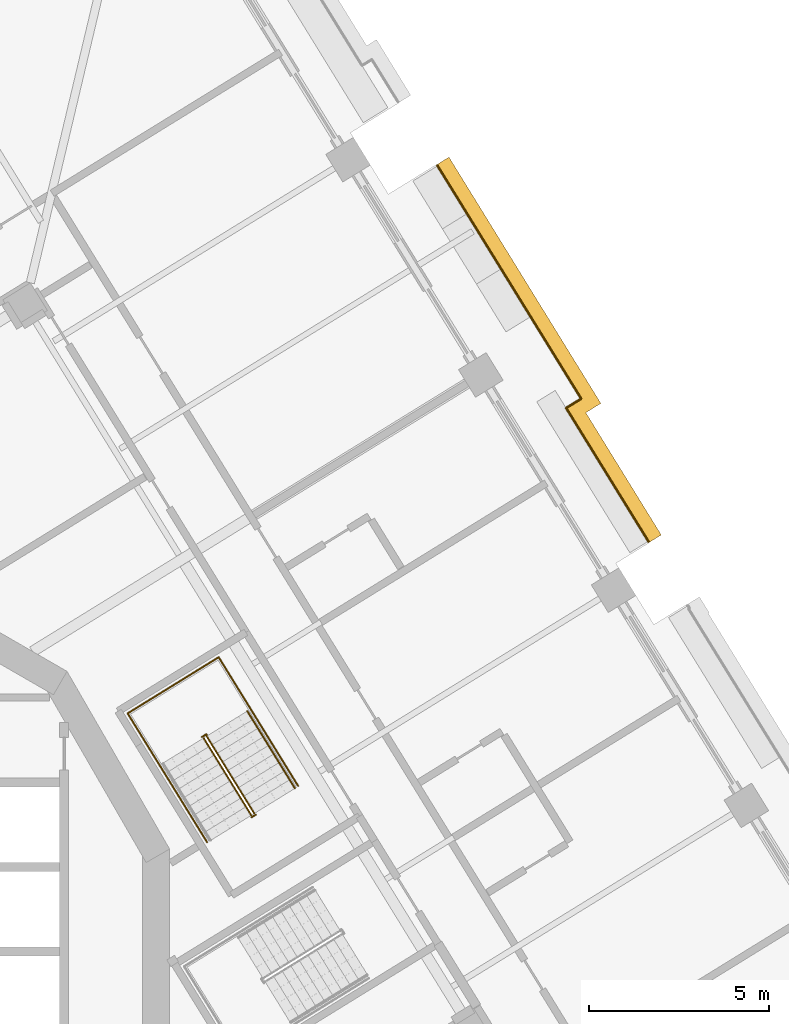
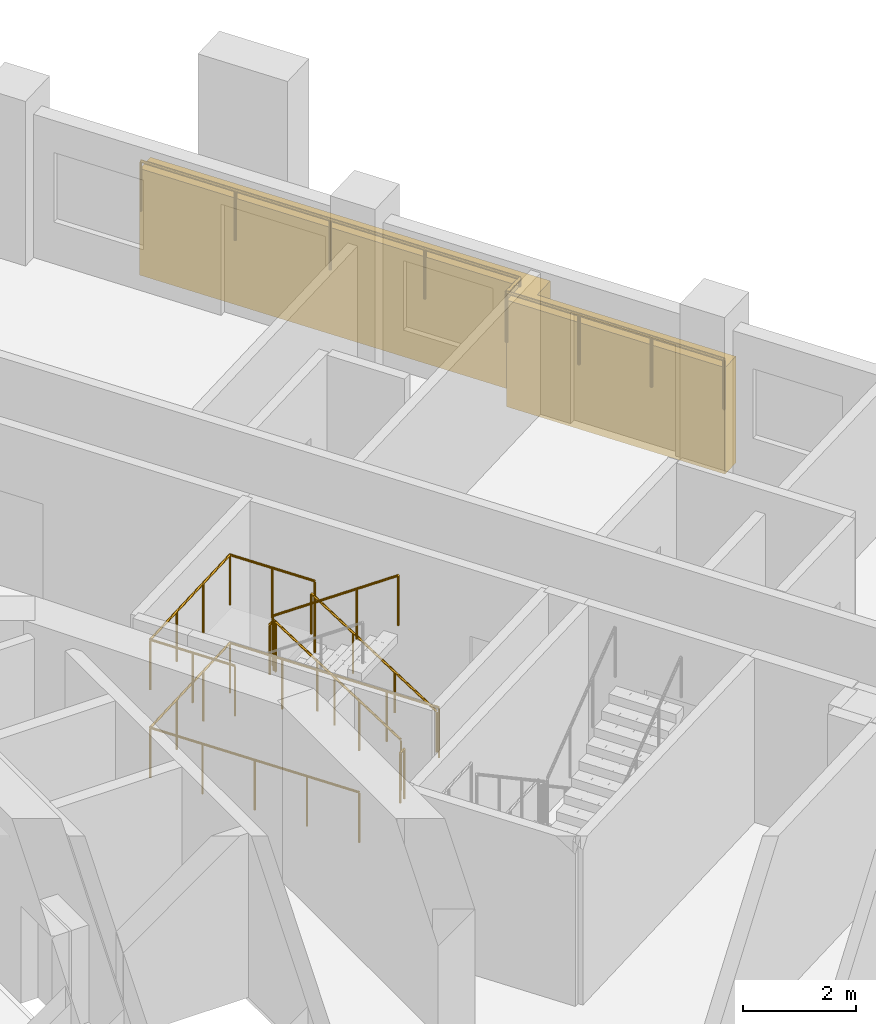
# One storey, part 18 of 20: 8 railings, 1 covering.
"""IFC4 building model written with IfcOpenShell, lengths in metres."""

from ifc_helpers import new_model, si_unit, direction, frame, origin, origin_2d, place, context, subcontext, project, spatial, polyline, circle, outline, extrude, material, type_object, element, save


model = new_model("IFC4")

# Units and contexts
model_context = context("Model", 3, precision=1e-05, world=origin(), true_north=direction((0.0, 1.0)))
body_context = subcontext(model_context, "Body", "Model", "MODEL_VIEW")
ifc_project = project(units=[si_unit("LENGTHUNIT", "METRE"), si_unit("AREAUNIT", "SQUARE_METRE"), si_unit("VOLUMEUNIT", "CUBIC_METRE"), si_unit("PLANEANGLEUNIT", "RADIAN"), si_unit("MASSUNIT", "GRAM", prefix="KILO")], contexts=[model_context])

# Site, building, storey
site_placement = place(None, origin())
site = spatial("IfcSite", under=ifc_project, at=site_placement, CompositionType="ELEMENT")
building_placement = place(site_placement, origin())
building = spatial("IfcBuilding", under=site, at=building_placement, Name="Cantera Rosa Tower", CompositionType="ELEMENT")
storey_placement = place(building_placement, frame((0.0, 0.0, 159.0)))
storey = spatial("IfcBuildingStorey", under=building, at=storey_placement, Name="L34", CompositionType="ELEMENT", Elevation=159.0)

# Railings
ifc_material_1 = material(Name="Stainless steel and laminated glass", Category="steel")
railing_type_1 = type_object("IfcRailingType", Name="GUARD 1100", PredefinedType="BALUSTRADE", material=ifc_material_1)
railing_1_placement = place(storey_placement, frame((21.629150390625, 15.090087890625, 0.0)))
element("IfcRailing", 1, at=railing_1_placement, inside=storey, type_object=railing_type_1, Name="GUARD L34-11", PredefinedType="BALUSTRADE", context=body_context, shape_type="SweptSolid", body=[
    extrude(circle(Radius=0.030029296875, at=origin_2d()), frame((0.0, 0.0, 1.070068359375), z_axis=(0.524976423486, -0.851116769182, 0.0), x_axis=(0.851116769182, 0.524976423486, 0.0)), (0.0, 0.0, 1.0), 4.36865234375),
    extrude(circle(Radius=0.02490234375, at=origin_2d()), origin(), (0.0, 0.0, 1.0), 1.0400390625),
    extrude(circle(Radius=0.02490234375, at=origin_2d()), frame((0.764404296875, -1.239501953125, 0.0)), (0.0, 0.0, 1.0), 1.0400390625),
    extrude(circle(Radius=0.02490234375, at=origin_2d()), frame((1.529052734375, -2.478759765625, 0.0)), (0.0, 0.0, 1.0), 1.0400390625),
    extrude(circle(Radius=0.02490234375, at=origin_2d()), frame((2.29345703125, -3.71826171875, 0.0)), (0.0, 0.0, 1.0), 1.0400390625),
])
railing_2_placement = place(storey_placement, frame((18.051025390625, 21.825927734375, 0.0)))
element("IfcRailing", 2, at=railing_2_placement, inside=storey, type_object=railing_type_1, Name="GUARD L34-12", PredefinedType="BALUSTRADE", context=body_context, shape_type="SweptSolid", body=[
    extrude(circle(Radius=0.030029296875, at=origin_2d()), frame((0.0, 0.0, 1.070068359375), z_axis=(0.524975843748, -0.85111712677, 0.0), x_axis=(0.85111712677, 0.524975843748, 0.0)), (0.0, 0.0, 1.0), 7.611572265625),
    extrude(circle(Radius=0.030029296875, at=origin_2d()), frame((3.995849609375, -6.478271484375, 1.070068359375), z_axis=(-0.851196799176, -0.524846652911, 0.0), x_axis=(0.524846652911, -0.851196799176, 0.0)), (0.0, 0.0, 1.0), 0.49072265625),
    extrude(circle(Radius=0.02490234375, at=origin_2d()), origin(), (0.0, 0.0, 1.0), 1.0400390625),
    extrude(circle(Radius=0.02490234375, at=origin_2d()), frame((0.9990234375, -1.61962890625, 0.0)), (0.0, 0.0, 1.0), 1.0400390625),
    extrude(circle(Radius=0.02490234375, at=origin_2d()), frame((1.998046875, -3.2392578125, 0.0)), (0.0, 0.0, 1.0), 1.0400390625),
    extrude(circle(Radius=0.02490234375, at=origin_2d()), frame((2.996826171875, -4.858642578125, 0.0)), (0.0, 0.0, 1.0), 1.0400390625),
    extrude(circle(Radius=0.02490234375, at=origin_2d()), frame((3.995849609375, -6.478271484375, 0.0)), (0.0, 0.0, 1.0), 1.0400390625),
    extrude(circle(Radius=0.02490234375, at=origin_2d()), frame((3.578125, -6.73583984375, 0.0)), (0.0, 0.0, 1.0), 1.0400390625),
])
ifc_material_2 = material(Name="Steel S355J2 (EN 10025-2)", Category="steel")
railing_type_2 = type_object("IfcRailingType", Name="STAIR GUARD 1100", PredefinedType="GUARDRAIL", material=ifc_material_2)
railing_3_placement = place(storey_placement, frame((12.9765625, 3.834228515625, 0.18994140625)))
element("IfcRailing", 3, at=railing_3_placement, inside=storey, type_object=railing_type_2, Name="L34 ST-31 stair guard 1", PredefinedType="GUARDRAIL", context=body_context, shape_type="SweptSolid", body=[
    extrude(circle(Radius=0.02392578125, at=origin_2d()), frame((0.0, 0.0, 1.076171875), z_axis=(-0.434362572038, 0.70429590169, 0.561512634654), x_axis=(-0.851145618652, -0.524929648476, 0.0)), (0.0, 0.0, 1.0), 3.045166015625),
    extrude(circle(Radius=0.02392578125, at=origin_2d()), frame((-1.32275390625, 2.144775390625, 2.7861328125), z_axis=(-0.073711968402, 0.997279572494, 0.0), x_axis=(-0.997279572494, -0.073711968402, 0.0)), (0.0, 0.0, 1.0), 0.056396484375),
    extrude(circle(Radius=0.02392578125, at=origin_2d()), frame((-1.326904296875, 2.200927734375, 2.7861328125), z_axis=(-0.851546489876, -0.524279100842, 0.0), x_axis=(0.524279100842, -0.851546489876, 0.0)), (0.0, 0.0, 1.0), 0.14990234375),
    extrude(circle(Radius=0.02099609375, at=origin_2d()), origin(), (0.0, 0.0, 1.0), 1.052001953125),
    extrude(circle(Radius=0.02099609375, at=origin_2d()), frame((-0.44091796875, 0.71484375, 0.570068359375)), (0.0, 0.0, 1.0), 1.052001953125),
    extrude(circle(Radius=0.02099609375, at=origin_2d()), frame((-0.8818359375, 1.429931640625, 1.139892578125)), (0.0, 0.0, 1.0), 1.052001953125),
    extrude(circle(Radius=0.02099609375, at=origin_2d()), frame((-1.32275390625, 2.144775390625, 1.7099609375)), (0.0, 0.0, 1.0), 1.052001953125),
    extrude(circle(Radius=0.02099609375, at=origin_2d()), frame((-1.326904296875, 2.200927734375, 1.7099609375)), (0.0, 0.0, 1.0), 1.052001953125),
    extrude(circle(Radius=0.02099609375, at=origin_2d()), frame((-1.45458984375, 2.122314453125, 1.7099609375)), (0.0, 0.0, 1.0), 1.052001953125),
])
railing_4_placement = place(storey_placement, frame((11.5703125, 5.927490234375, 2.090087890625)))
element("IfcRailing", 4, at=railing_4_placement, inside=storey, type_object=railing_type_2, Name="L34 ST-31 stair guard 2", PredefinedType="GUARDRAIL", context=body_context, shape_type="SweptSolid", body=[
    extrude(circle(Radius=0.02392578125, at=origin_2d()), frame((0.0, 0.0, 1.076171875), z_axis=(0.434427613125, -0.704271375033, 0.561493080334), x_axis=(0.851102330005, 0.524999832248, 0.0)), (0.0, 0.0, 1.0), 3.04541015625),
    extrude(circle(Radius=0.02099609375, at=origin_2d()), origin(), (0.0, 0.0, 1.0), 1.052001953125),
    extrude(circle(Radius=0.02099609375, at=origin_2d()), frame((0.44091796875, -0.71484375, 0.570068359375)), (0.0, 0.0, 1.0), 1.052001953125),
    extrude(circle(Radius=0.02099609375, at=origin_2d()), frame((0.882080078125, -1.429931640625, 1.139892578125)), (0.0, 0.0, 1.0), 1.052001953125),
    extrude(circle(Radius=0.02099609375, at=origin_2d()), frame((1.322998046875, -2.144775390625, 1.7099609375)), (0.0, 0.0, 1.0), 1.052001953125),
])
railing_5_placement = place(storey_placement, frame((13.025146484375, 3.80517578125, 0.0)))
element("IfcRailing", 5, at=railing_5_placement, inside=storey, type_object=railing_type_2, Name="L34 ST-31 stair guard 3", PredefinedType="GUARDRAIL", context=body_context, shape_type="SweptSolid", body=[
    extrude(circle(Radius=0.02392578125, at=origin_2d()), frame((0.0, 0.0, 1.076171875), z_axis=(-0.851546489876, -0.524279100842, 0.0), x_axis=(0.524279100842, -0.851546489876, 0.0)), (0.0, 0.0, 1.0), 0.14990234375),
    extrude(circle(Radius=0.02099609375, at=origin_2d()), origin(), (0.0, 0.0, 1.0), 1.052001953125),
    extrude(circle(Radius=0.02099609375, at=origin_2d()), frame((-0.127685546875, -0.07861328125, 0.0)), (0.0, 0.0, 1.0), 1.052001953125),
])
railing_6_placement = place(storey_placement, frame((14.192626953125, 4.59814453125, 0.0)))
element("IfcRailing", 6, at=railing_6_placement, inside=storey, type_object=railing_type_2, Name="L34 ST-31 stair guard 4", PredefinedType="GUARDRAIL", context=body_context, shape_type="SweptSolid", body=[
    extrude(circle(Radius=0.02392578125, at=origin_2d()), frame((0.0, 0.0, 1.076171875), z_axis=(-0.524976478809, 0.851116735059, 0.0), x_axis=(-0.851116735059, -0.524976478809, 0.0)), (0.0, 0.0, 1.0), 4.197998046875),
    extrude(circle(Radius=0.02392578125, at=origin_2d()), frame((-2.203857421875, 3.572998046875, 1.076171875), z_axis=(-0.851132917336, -0.524950242429, 0.0), x_axis=(0.524950242429, -0.851132917336, 0.0)), (0.0, 0.0, 1.0), 2.969970703125),
    extrude(circle(Radius=0.02392578125, at=origin_2d()), frame((-4.731689453125, 2.013916015625, 1.076171875), z_axis=(0.524976478809, -0.851116735059, 0.0), x_axis=(0.851116735059, 0.524976478809, 0.0)), (0.0, 0.0, 1.0), 4.197998046875),
    extrude(circle(Radius=0.02099609375, at=origin_2d()), origin(), (0.0, 0.0, 1.0), 1.052001953125),
    extrude(circle(Radius=0.02099609375, at=origin_2d()), frame((-0.551025390625, 0.893310546875, 0.0)), (0.0, 0.0, 1.0), 1.052001953125),
    extrude(circle(Radius=0.02099609375, at=origin_2d()), frame((-1.10205078125, 1.78662109375, 0.0)), (0.0, 0.0, 1.0), 1.052001953125),
    extrude(circle(Radius=0.02099609375, at=origin_2d()), frame((-1.65283203125, 2.6796875, 0.0)), (0.0, 0.0, 1.0), 1.052001953125),
    extrude(circle(Radius=0.02099609375, at=origin_2d()), frame((-2.203857421875, 3.572998046875, 0.0)), (0.0, 0.0, 1.0), 1.052001953125),
    extrude(circle(Radius=0.02099609375, at=origin_2d()), frame((-3.04638671875, 3.05322265625, 0.0)), (0.0, 0.0, 1.0), 1.052001953125),
    extrude(circle(Radius=0.02099609375, at=origin_2d()), frame((-3.88916015625, 2.53369140625, 0.0)), (0.0, 0.0, 1.0), 1.052001953125),
    extrude(circle(Radius=0.02099609375, at=origin_2d()), frame((-4.731689453125, 2.013916015625, 0.0)), (0.0, 0.0, 1.0), 1.052001953125),
    extrude(circle(Radius=0.02099609375, at=origin_2d()), frame((-4.1806640625, 1.12060546875, 0.0)), (0.0, 0.0, 1.0), 1.052001953125),
    extrude(circle(Radius=0.02099609375, at=origin_2d()), frame((-3.6298828125, 0.2275390625, 0.0)), (0.0, 0.0, 1.0), 1.052001953125),
    extrude(circle(Radius=0.02099609375, at=origin_2d()), frame((-3.078857421875, -0.665771484375, 0.0)), (0.0, 0.0, 1.0), 1.052001953125),
    extrude(circle(Radius=0.02099609375, at=origin_2d()), frame((-2.52783203125, -1.55908203125, 0.0)), (0.0, 0.0, 1.0), 1.052001953125),
])
railing_7_placement = place(storey_placement, frame((12.88232421875, 6.72265625, 1.89990234375)))
element("IfcRailing", 7, at=railing_7_placement, inside=storey, type_object=railing_type_2, Name="L34 ST-31 stair guard 5", PredefinedType="GUARDRAIL", context=body_context, shape_type="SweptSolid", body=[
    extrude(circle(Radius=0.02392578125, at=origin_2d()), frame((0.0, 0.0, 1.076171875), z_axis=(-0.525025534833, 0.851086474909, 0.0), x_axis=(-0.851086474909, -0.525025534833, 0.0)), (0.0, 0.0, 1.0), 1.701904296875),
    extrude(circle(Radius=0.02392578125, at=origin_2d()), frame((-0.8935546875, 1.448486328125, 1.076171875), z_axis=(-0.851132917336, -0.524950242429, 0.0), x_axis=(0.524950242429, -0.851132917336, 0.0)), (0.0, 0.0, 1.0), 2.969970703125),
    extrude(circle(Radius=0.02392578125, at=origin_2d()), frame((-3.42138671875, -0.110595703125, 1.076171875), z_axis=(0.524961441845, -0.851126009811, 0.0), x_axis=(0.851126009811, 0.524961441845, 0.0)), (0.0, 0.0, 1.0), 1.7021484375),
    extrude(circle(Radius=0.02099609375, at=origin_2d()), origin(), (0.0, 0.0, 1.0), 1.052001953125),
    extrude(circle(Radius=0.02099609375, at=origin_2d()), frame((-0.44677734375, 0.72412109375, 0.0)), (0.0, 0.0, 1.0), 1.052001953125),
    extrude(circle(Radius=0.02099609375, at=origin_2d()), frame((-0.8935546875, 1.448486328125, 0.0)), (0.0, 0.0, 1.0), 1.052001953125),
    extrude(circle(Radius=0.02099609375, at=origin_2d()), frame((-1.736083984375, 0.9287109375, 0.0)), (0.0, 0.0, 1.0), 1.052001953125),
    extrude(circle(Radius=0.02099609375, at=origin_2d()), frame((-2.578857421875, 0.4091796875, 0.0)), (0.0, 0.0, 1.0), 1.052001953125),
    extrude(circle(Radius=0.02099609375, at=origin_2d()), frame((-3.42138671875, -0.110595703125, 0.0)), (0.0, 0.0, 1.0), 1.052001953125),
    extrude(circle(Radius=0.02099609375, at=origin_2d()), frame((-2.974609375, -0.8349609375, 0.0)), (0.0, 0.0, 1.0), 1.052001953125),
    extrude(circle(Radius=0.02099609375, at=origin_2d()), frame((-2.52783203125, -1.559326171875, 0.0)), (0.0, 0.0, 1.0), 1.052001953125),
])
ifc_material_3 = material(Name="Steel S355J2 (EN 10025-2)", Category="steel")
railing_type_3 = type_object("IfcRailingType", Name="STAIR HANDRAIL 900", PredefinedType="HANDRAIL", material=ifc_material_3)
railing_8_placement = place(storey_placement, frame((14.105224609375, 4.5302734375, 0.18994140625)))
element("IfcRailing", 8, at=railing_8_placement, inside=storey, type_object=railing_type_3, Name="L34 ST-31 stair handrail 1", PredefinedType="HANDRAIL", context=body_context, shape_type="SweptSolid", body=[
    extrude(circle(Radius=0.02392578125, at=origin_2d()), frame((0.0, 0.0, 0.8759765625), z_axis=(-0.434427613125, 0.704271375033, 0.561493080334), x_axis=(-0.851102330005, -0.524999832248, 0.0)), (0.0, 0.0, 1.0), 3.04541015625),
    extrude(circle(Radius=0.02099609375, at=origin_2d()), origin(), (0.0, 0.0, 1.0), 0.851806640625),
    extrude(circle(Radius=0.02099609375, at=origin_2d()), frame((-0.44091796875, 0.71484375, 0.570068359375)), (0.0, 0.0, 1.0), 0.851806640625),
    extrude(circle(Radius=0.02099609375, at=origin_2d()), frame((-0.882080078125, 1.429931640625, 1.139892578125)), (0.0, 0.0, 1.0), 0.851806640625),
    extrude(circle(Radius=0.02099609375, at=origin_2d()), frame((-1.322998046875, 2.144775390625, 1.7099609375)), (0.0, 0.0, 1.0), 0.851806640625),
])

# Covering
ifc_material_4 = material(Name="Cantera stone", Category="masonry")
covering_type = type_object("IfcCoveringType", Name="TRAY FASCIA 400", PredefinedType="CLADDING", material=ifc_material_4)
covering_placement = place(storey_placement, frame((0.0, 0.0, -1.39990234375)))
element("IfcCovering", 9, at=covering_placement, inside=storey, type_object=covering_type, Name="TRAY FASCIA L34-07", PredefinedType="CLADDING", context=body_context, shape_type="SweptSolid", body=[
    extrude(outline(polyline([(22.59716796875, 15.217041015625), (22.1796875, 14.95947265625), (24.273681640625, 11.56494140625), (23.93310546875, 11.35498046875), (21.629150390625, 15.090087890625), (22.046875, 15.34765625), (18.04052734375, 21.8427734375), (18.380859375, 22.052734375), (22.59716796875, 15.217041015625)])), origin(), (0.0, 0.0, 1.0), 2.2998046875),
])

save(model, "model.ifc")
